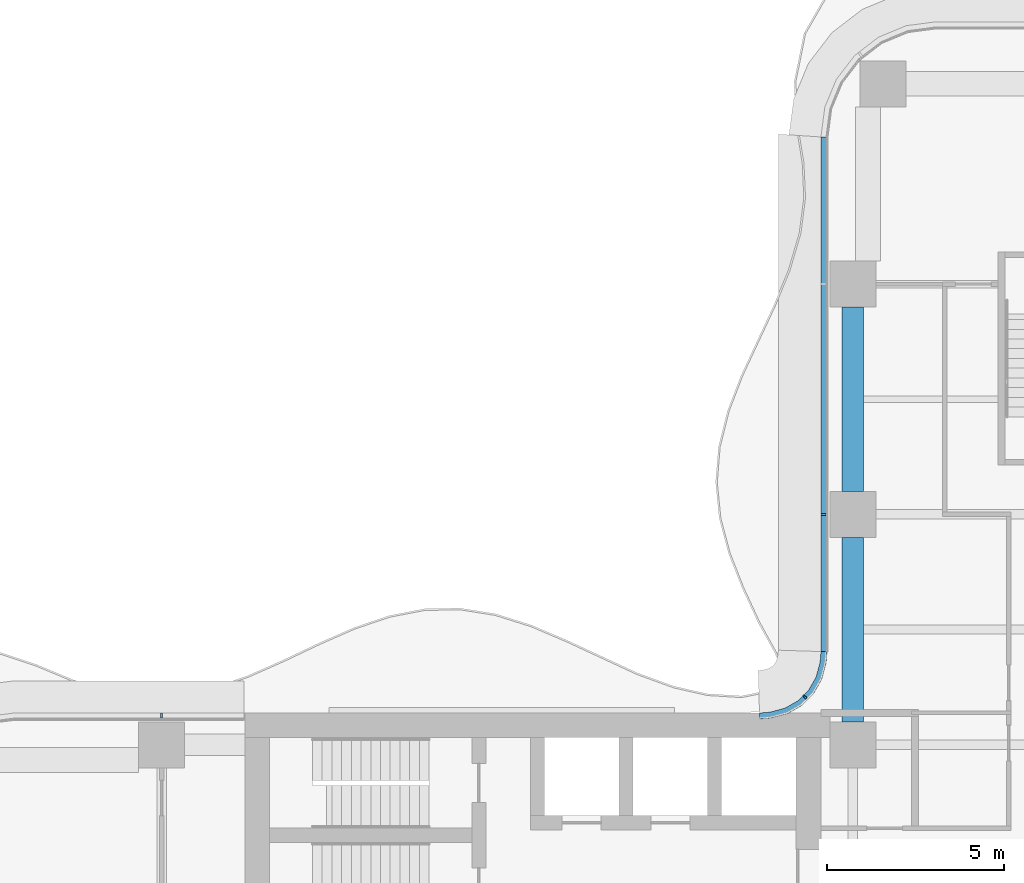
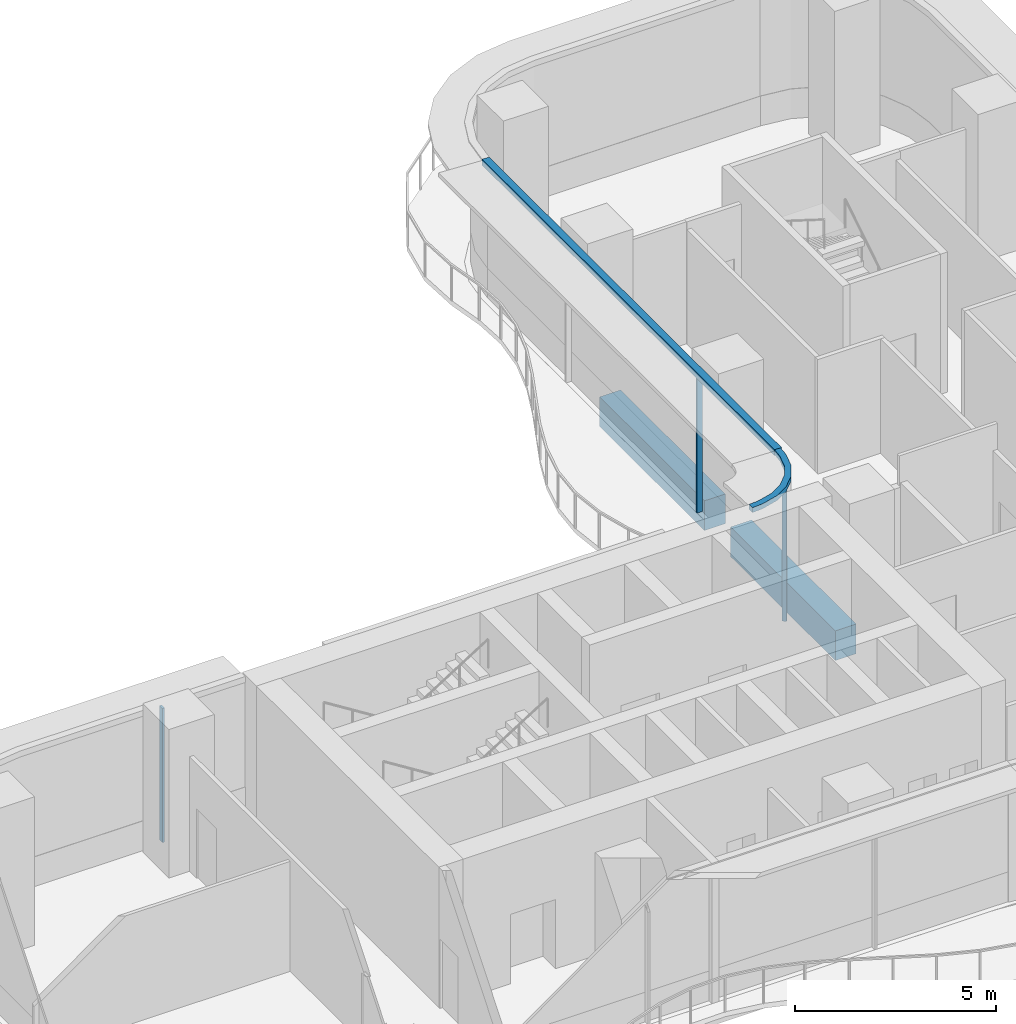
# One storey, part 8 of 20: 5 members, 2 beams, 3 elements without a shape of their own.
"""IFC4 building model written with IfcOpenShell, lengths in metres."""

from ifc_helpers import new_model, si_unit, direction, frame, origin, origin_2d, place, context, subcontext, project, spatial, polyline, rectangle, outline, extrude, source, transform, mapped, material, layer, layer_set, material_profile, profile_set, type_object, element, aggregate, save


model = new_model("IFC4")

# Units and contexts
model_context = context("Model", 3, precision=1e-05, world=origin(), true_north=direction((0.0, 1.0)))
body_context = subcontext(model_context, "Body", "Model", "MODEL_VIEW")
ifc_project = project(units=[si_unit("LENGTHUNIT", "METRE"), si_unit("AREAUNIT", "SQUARE_METRE"), si_unit("VOLUMEUNIT", "CUBIC_METRE"), si_unit("PLANEANGLEUNIT", "RADIAN"), si_unit("MASSUNIT", "GRAM", prefix="KILO")], contexts=[model_context])

# Site, building, storey
site_placement = place(None, origin())
site = spatial("IfcSite", under=ifc_project, at=site_placement, CompositionType="ELEMENT")
building_placement = place(site_placement, origin())
building = spatial("IfcBuilding", under=site, at=building_placement, Name="Trellis Farm Tower", CompositionType="ELEMENT")
storey_placement = place(building_placement, frame((0.0, 0.0, 142.5)))
storey = spatial("IfcBuildingStorey", under=building, at=storey_placement, Name="L30", CompositionType="ELEMENT", Elevation=142.5)

# Beams
ifc_material_1 = material(Name="Concrete C60/75", Category="concrete")
ifc_material_profile_1 = material_profile(ifc_material_1, rectangle(XDim=0.60009765625, YDim=0.89990234375, at=origin_2d()), Name="RC spandrel beam 600x900 C60/75")
ifc_profile_set_1 = profile_set([ifc_material_profile_1], Name="Concrete C60/75")
beam_type = type_object("IfcBeamType", Name="RC spandrel beam 600x900 C60/75", PredefinedType="SPANDREL", material=ifc_profile_set_1)
shared_shape_1 = source(origin(), body_context, "Body", "SweptSolid", [
    extrude(rectangle(XDim=0.60009765625, YDim=0.89990234375, at=origin_2d()), origin(), (0.0, 0.0, 1.0), 5.199951171875),
])
for number, where, z_axis, x_axis, name in (
    (1, (-5.60009765625, 6.25, -0.699951171875), (0.0, 1.0, 0.0), (-1.0, 0.0, 0.0), "Girder"),
    (2, (-5.60009765625, 12.75, -0.699951171875), (0.0, 1.0, 0.0), (-1.0, 0.0, 0.0), "Girder"),
):
    element("IfcBeam", number, at=place(storey_placement, frame(where, z_axis=z_axis, x_axis=x_axis)), inside=storey, type_object=beam_type, Name=name, PredefinedType="SPANDREL", context=body_context, shape_type="MappedRepresentation", body=[
        mapped(shared_shape_1, transform((0.0, 0.0, 0.0))),
    ])

# Curtain wall, member
ifc_material_2 = material(Name="Aluminium and glass curtain wall", Category="aluminium")
ifc_layer_1 = layer(ifc_material_2, 0.18994140625)
ifc_layer_set_1 = layer_set([ifc_layer_1], Name="RIBBON CURTAIN WALL CW1")
curtain_wall_type_1 = type_object("IfcCurtainWallType", Name="RIBBON CURTAIN WALL CW1", PredefinedType="NOTDEFINED", material=ifc_layer_set_1)
placement = place(storey_placement, origin())
curtain_wall_1 = element("IfcCurtainWall", 3, at=placement, inside=storey, type_object=curtain_wall_type_1, Name="CW1 011", PredefinedType="NOTDEFINED")
ifc_material_3 = material(Name="Aluminium extrusion 6063-T6", Category="aluminium")
ifc_material_profile_2 = material_profile(ifc_material_3, rectangle(XDim=0.06005859375, YDim=0.14990234375, at=origin_2d()), Name="MULLION 60x150")
ifc_profile_set_2 = profile_set([ifc_material_profile_2], Name="Aluminium extrusion 6063-T6")
member_type_1 = type_object("IfcMemberType", Name="CW1 MULLION 60x150", PredefinedType="MULLION", material=ifc_profile_set_2)
shared_shape_2 = source(origin(), body_context, "Body", "SweptSolid", [
    extrude(rectangle(XDim=0.06005859375, YDim=0.14990234375, at=origin_2d()), origin(), (0.0, 0.0, 1.0), 4.070068359375),
])
member_1_placement = place(storey_placement, frame((-6.425048828125, 12.10009765625, 0.0), z_axis=(0.0, 0.0, 1.0), x_axis=(0.0, -1.0, 0.0)))
member_1 = element("IfcMember", 4, at=member_1_placement, type_object=member_type_1, Name="MU1 011-02", PredefinedType="MULLION", context=body_context, shape_type="MappedRepresentation", body=[
    mapped(shared_shape_2, transform((0.0, 0.0, 0.0))),
])

curtain_wall_2 = element("IfcCurtainWall", 5, at=placement, inside=storey, type_object=curtain_wall_type_1, Name="CW1 012", PredefinedType="NOTDEFINED")
member_2_placement = place(storey_placement, frame((-25.10009765625, 6.425048828125, 0.0), z_axis=(0.0, 0.0, 1.0), x_axis=(-1.0, 0.0, 0.0)))
member_2 = element("IfcMember", 6, at=member_2_placement, type_object=member_type_1, Name="MU1 012-01", PredefinedType="MULLION", context=body_context, shape_type="MappedRepresentation", body=[
    mapped(shared_shape_2, transform((0.0, 0.0, 0.0))),
])
aggregate(curtain_wall_2, [member_2])

# Curtain wall, members
ifc_layer_2 = layer(ifc_material_2, 0.166015625)
ifc_layer_set_2 = layer_set([ifc_layer_2], Name="WINTER GARDEN CURTAIN WALL CW3")
curtain_wall_type_2 = type_object("IfcCurtainWallType", Name="WINTER GARDEN CURTAIN WALL CW3", PredefinedType="NOTDEFINED", material=ifc_layer_set_2)
curtain_wall_3 = element("IfcCurtainWall", 7, at=placement, inside=storey, type_object=curtain_wall_type_2, Name="CW3 004", PredefinedType="NOTDEFINED")
ifc_material_profile_3 = material_profile(ifc_material_3, rectangle(XDim=0.050048828125, YDim=0.1201171875, at=origin_2d()), Name="MULLION 50x120")
ifc_profile_set_3 = profile_set([ifc_material_profile_3], Name="Aluminium extrusion 6063-T6")
member_type_2 = type_object("IfcMemberType", Name="CW3 MULLION 50x120", PredefinedType="MULLION", material=ifc_profile_set_3)
shared_shape_3 = source(origin(), body_context, "Body", "SweptSolid", [
    extrude(rectangle(XDim=0.050048828125, YDim=0.1201171875, at=origin_2d()), origin(), (0.0, 0.0, 1.0), 4.10009765625),
])
member_3_placement = place(storey_placement, frame((-6.953125, 6.953125, 0.0), z_axis=(0.0, 0.0, 1.0), x_axis=(-0.707106781187, -0.707106781187, 0.0)))
member_3 = element("IfcMember", 8, at=member_3_placement, type_object=member_type_2, Name="MU3 004-01", PredefinedType="MULLION", context=body_context, shape_type="MappedRepresentation", body=[
    mapped(shared_shape_3, transform((0.0, 0.0, 0.0))),
])
ifc_layer_3 = layer(ifc_material_3, 0.169921875)
ifc_layer_set_3 = layer_set([ifc_layer_3], Name="Aluminium extrusion 6063-T6")
member_type_3 = type_object("IfcMemberType", Name="CW3 TRANSOM 170x150", PredefinedType="USERDEFINED", material=ifc_layer_set_3)
shared_shape_4 = source(origin(), body_context, "Body", "SweptSolid", [
    extrude(outline(polyline([(-6.5, 8.2314453125), (-6.513916015625, 8.01953125), (-6.527587890625, 7.91552734375), (-6.63671875, 7.508544921875), (-6.846923828125, 7.144287109375), (-7.144287109375, 6.846923828125), (-7.508544921875, 6.63671875), (-7.91552734375, 6.527587890625), (-8.01953125, 6.513916015625), (-8.2314453125, 6.5), (-8.225830078125, 6.330078125), (-8.0029296875, 6.3447265625), (-7.88232421875, 6.360595703125), (-7.44287109375, 6.478271484375), (-7.0400390625, 6.7109375), (-6.7109375, 7.0400390625), (-6.478271484375, 7.44287109375), (-6.360595703125, 7.88232421875), (-6.3447265625, 8.0029296875), (-6.330078125, 8.225830078125), (-6.5, 8.2314453125)])), origin(), (0.0, 0.0, 1.0), 0.14990234375),
])
member_4_placement = place(storey_placement, frame((0.0, 0.0, 4.10009765625)))
member_4 = element("IfcMember", 9, at=member_4_placement, type_object=member_type_3, Name="TR3 004", ObjectType="TRANSOM", PredefinedType="USERDEFINED", context=body_context, shape_type="MappedRepresentation", body=[
    mapped(shared_shape_4, transform((0.0, 0.0, 0.0))),
])
aggregate(curtain_wall_3, [member_3, member_4])

# Member
ifc_layer_4 = layer(ifc_material_3, 0.199951171875)
ifc_layer_set_4 = layer_set([ifc_layer_4], Name="Aluminium extrusion 6063-T6")
member_type_4 = type_object("IfcMemberType", Name="CW1 TRANSOM 200x180", PredefinedType="USERDEFINED", material=ifc_layer_set_4)
shared_shape_5 = source(origin(), body_context, "Body", "SweptSolid", [
    extrude(outline(polyline([(-6.5, 22.75), (-6.5, 8.2314453125), (-6.300048828125, 8.224853515625), (-6.300048828125, 22.73681640625), (-6.5, 22.75)])), origin(), (0.0, 0.0, 1.0), 0.179931640625),
])
member_5_placement = place(storey_placement, frame((0.0, 0.0, 4.070068359375)))
member_5 = element("IfcMember", 10, at=member_5_placement, type_object=member_type_4, Name="TR1 011", ObjectType="TRANSOM", PredefinedType="USERDEFINED", context=body_context, shape_type="MappedRepresentation", body=[
    mapped(shared_shape_5, transform((0.0, 0.0, 0.0))),
])

aggregate(curtain_wall_1, [member_1, member_5])

save(model, "model.ifc")
